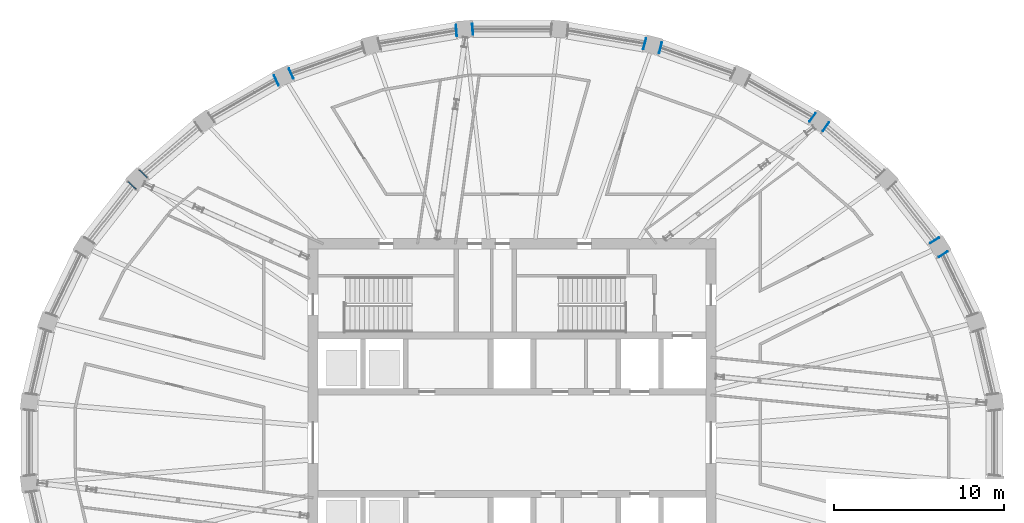
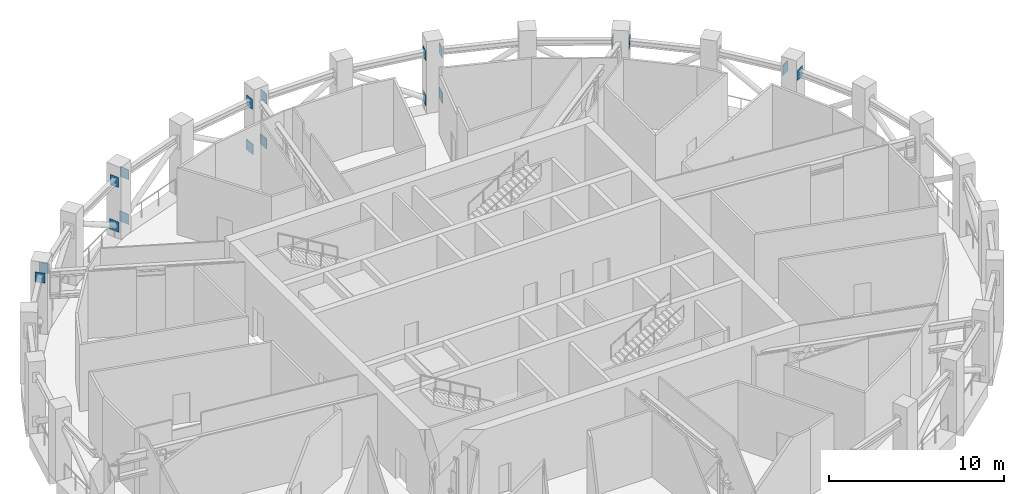
# One storey, part 17 of 20: 18 discrete accessories.
"""IFC4 building model written with IfcOpenShell, lengths in metres."""

from ifc_helpers import new_model, si_unit, direction, frame, origin, origin_2d, place, context, subcontext, project, spatial, rectangle, extrude, material, layer, layer_set, type_object, element, save


model = new_model("IFC4")

# Units and contexts
model_context = context("Model", 3, precision=1e-05, world=origin(), true_north=direction((0.0, 1.0)))
body_context = subcontext(model_context, "Body", "Model", "MODEL_VIEW")
ifc_project = project(units=[si_unit("LENGTHUNIT", "METRE"), si_unit("AREAUNIT", "SQUARE_METRE"), si_unit("VOLUMEUNIT", "CUBIC_METRE"), si_unit("PLANEANGLEUNIT", "RADIAN"), si_unit("MASSUNIT", "GRAM", prefix="KILO")], contexts=[model_context])

# Site, building, storey
site_placement = place(None, origin())
site = spatial("IfcSite", under=ifc_project, at=site_placement, CompositionType="ELEMENT")
building_placement = place(site_placement, origin())
building = spatial("IfcBuilding", under=site, at=building_placement, Name="Halqa Exchange Tower", CompositionType="ELEMENT")
storey_placement = place(building_placement, frame((0.0, 0.0, 328.300048828125)))
storey = spatial("IfcBuildingStorey", under=building, at=storey_placement, Name="L77", CompositionType="ELEMENT", Elevation=328.300048828125)

# Discrete accessories
ifc_material = material(Name="Steel S355", Category="steel")
ifc_layer = layer(ifc_material, 0.0400390625)
ifc_layer_set = layer_set([ifc_layer], Name="Steel S355")
discrete_accessory_type = type_object("IfcDiscreteAccessoryType", Name="Belt truss anchor plate 40", PredefinedType="ANCHORPLATE", material=ifc_layer_set)
discrete_accessory_1_placement = place(storey_placement, frame((24.849365234375, 11.879638671875, 3.89990234375), z_axis=(-0.527815847616, 0.849358835243, 0.0), x_axis=(-0.849358835243, -0.527815847616, 0.0)))
element("IfcDiscreteAccessory", 1, at=discrete_accessory_1_placement, inside=storey, type_object=discrete_accessory_type, Name="Belt truss anchor plate", PredefinedType="ANCHORPLATE", context=body_context, shape_type="SweptSolid", body=[
    extrude(rectangle(XDim=0.60009765625, YDim=0.699951171875, at=origin_2d()), origin(), (0.0, 0.0, 1.0), 0.040283203125),
])
for number, where, z_axis, x_axis, name in (
    (2, (25.3349609375, 11.098388671875, 3.89990234375), (0.530546985787, -0.847655529016, 0.0), (0.847655529016, 0.530546985787, 0.0), "Belt truss anchor plate"),
    (3, (17.6787109375, 19.1123046875, 3.89990234375), (-0.81865747399, 0.57428210862, 0.0), (-0.57428210862, -0.81865747399, 0.0), "Belt truss anchor plate"),
    (4, (18.430419921875, 18.581787109375, 3.89990234375), (0.81865747399, -0.57428210862, 0.0), (0.57428210862, 0.81865747399, 0.0), "Belt truss anchor plate"),
):
    element("IfcDiscreteAccessory", number, at=place(storey_placement, frame(where, z_axis=z_axis, x_axis=x_axis)), inside=storey, type_object=discrete_accessory_type, Name=name, PredefinedType="ANCHORPLATE", context=body_context, shape_type="SweptSolid", body=[
        extrude(rectangle(XDim=0.60009765625, YDim=0.699951171875, at=origin_2d()), origin(), (0.0, 0.0, 1.0), 0.0400390625),
    ])
for number, where, z_axis, x_axis, name in (
    (5, (7.817626953125, 23.453369140625, 3.89990234375), (-0.967941754644, 0.251174759116, 0.0), (-0.251174759116, -0.967941754644, 0.0), "Belt truss anchor plate"),
    (6, (8.7080078125, 23.22119140625, 3.89990234375), (0.967941754644, -0.251174759116, 0.0), (0.251174759116, 0.967941754644, 0.0), "Belt truss anchor plate"),
):
    element("IfcDiscreteAccessory", number, at=place(storey_placement, frame(where, z_axis=z_axis, x_axis=x_axis)), inside=storey, type_object=discrete_accessory_type, Name=name, PredefinedType="ANCHORPLATE", context=body_context, shape_type="SweptSolid", body=[
        extrude(rectangle(XDim=0.60009765625, YDim=0.699951171875, at=origin_2d()), origin(), (0.0, 0.0, 1.0), 0.039794921875),
    ])
discrete_accessory_2_placement = place(storey_placement, frame((7.817626953125, 23.453125, 0.790283203125), z_axis=(-0.966437683387, 0.256901156343, 0.0), x_axis=(-0.256901156343, -0.966437683387, 0.0)))
element("IfcDiscreteAccessory", 7, at=discrete_accessory_2_placement, inside=storey, type_object=discrete_accessory_type, Name="Belt truss anchor plate", PredefinedType="ANCHORPLATE", context=body_context, shape_type="SweptSolid", body=[
    extrude(rectangle(XDim=0.656005859375, YDim=0.717041015625, at=origin_2d()), origin(), (0.0, 0.0, 1.0), 0.039794921875),
])
discrete_accessory_3_placement = place(storey_placement, frame((8.7080078125, 23.22119140625, 0.79345703125), z_axis=(0.967941754644, -0.251174759116, 0.0), x_axis=(0.251174759116, 0.967941754644, 0.0)))
element("IfcDiscreteAccessory", 8, at=discrete_accessory_3_placement, inside=storey, type_object=discrete_accessory_type, Name="Belt truss anchor plate", PredefinedType="ANCHORPLATE", context=body_context, shape_type="SweptSolid", body=[
    extrude(rectangle(XDim=0.656005859375, YDim=0.718994140625, at=origin_2d()), origin(), (0.0, 0.0, 1.0), 0.039794921875),
])
for number, where, z_axis, x_axis, name in (
    (9, (-3.24853515625, 24.232421875, 3.89990234375), (-0.996331773833, -0.085574508182, 0.0), (0.085574508182, -0.996331773833, 0.0), "Belt truss anchor plate"),
    (10, (-2.331787109375, 24.31005859375, 3.89990234375), (0.996834694212, 0.079502153526, 0.0), (-0.079502153526, 0.996834694212, 0.0), "Belt truss anchor plate"),
):
    element("IfcDiscreteAccessory", number, at=place(storey_placement, frame(where, z_axis=z_axis, x_axis=x_axis)), inside=storey, type_object=discrete_accessory_type, Name=name, PredefinedType="ANCHORPLATE", context=body_context, shape_type="SweptSolid", body=[
        extrude(rectangle(XDim=0.60009765625, YDim=0.699951171875, at=origin_2d()), origin(), (0.0, 0.0, 1.0), 0.0400390625),
    ])
discrete_accessory_4_placement = place(storey_placement, frame((-3.24853515625, 24.232421875, 0.7900390625), z_axis=(-0.996331773833, -0.085574508182, 0.0), x_axis=(0.085574508182, -0.996331773833, 0.0)))
element("IfcDiscreteAccessory", 11, at=discrete_accessory_4_placement, inside=storey, type_object=discrete_accessory_type, Name="Belt truss anchor plate", PredefinedType="ANCHORPLATE", context=body_context, shape_type="SweptSolid", body=[
    extrude(rectangle(XDim=0.656005859375, YDim=0.717041015625, at=origin_2d()), origin(), (0.0, 0.0, 1.0), 0.0400390625),
])
discrete_accessory_5_placement = place(storey_placement, frame((-2.331787109375, 24.309814453125, 0.78857421875), z_axis=(0.996331773833, 0.085574508182, 0.0), x_axis=(-0.085574508182, 0.996331773833, 0.0)))
element("IfcDiscreteAccessory", 12, at=discrete_accessory_5_placement, inside=storey, type_object=discrete_accessory_type, Name="Belt truss anchor plate", PredefinedType="ANCHORPLATE", context=body_context, shape_type="SweptSolid", body=[
    extrude(rectangle(XDim=0.656005859375, YDim=0.716064453125, at=origin_2d()), origin(), (0.0, 0.0, 1.0), 0.0400390625),
])
discrete_accessory_6_placement = place(storey_placement, frame((-13.835205078125, 21.313720703125, 3.89990234375), z_axis=(-0.9097381412, -0.415182507393, 0.0), x_axis=(0.415182507393, -0.9097381412, 0.0)))
element("IfcDiscreteAccessory", 13, at=discrete_accessory_6_placement, inside=storey, type_object=discrete_accessory_type, Name="Belt truss anchor plate", PredefinedType="ANCHORPLATE", context=body_context, shape_type="SweptSolid", body=[
    extrude(rectangle(XDim=0.60009765625, YDim=0.699951171875, at=origin_2d()), origin(), (0.0, 0.0, 1.0), 0.0400390625),
])
discrete_accessory_7_placement = place(storey_placement, frame((-12.9990234375, 21.697509765625, 3.89990234375), z_axis=(0.908676843963, 0.417500171551, 0.0), x_axis=(-0.417500171551, 0.908676843963, 0.0)))
element("IfcDiscreteAccessory", 14, at=discrete_accessory_7_placement, inside=storey, type_object=discrete_accessory_type, Name="Belt truss anchor plate", PredefinedType="ANCHORPLATE", context=body_context, shape_type="SweptSolid", body=[
    extrude(rectangle(XDim=0.60009765625, YDim=0.699951171875, at=origin_2d()), origin(), (0.0, 0.0, 1.0), 0.039794921875),
])
discrete_accessory_8_placement = place(storey_placement, frame((-13.835205078125, 21.313720703125, 0.80078125), z_axis=(-0.90742390538, -0.420216439404, 0.0), x_axis=(0.420216439404, -0.90742390538, 0.0)))
element("IfcDiscreteAccessory", 15, at=discrete_accessory_8_placement, inside=storey, type_object=discrete_accessory_type, Name="Belt truss anchor plate", PredefinedType="ANCHORPLATE", context=body_context, shape_type="SweptSolid", body=[
    extrude(rectangle(XDim=0.656005859375, YDim=0.720947265625, at=origin_2d()), origin(), (0.0, 0.0, 1.0), 0.0400390625),
])
discrete_accessory_9_placement = place(storey_placement, frame((-12.999267578125, 21.69775390625, 0.793701171875), z_axis=(0.9097381412, 0.415182507393, 0.0), x_axis=(-0.415182507393, 0.9097381412, 0.0)))
element("IfcDiscreteAccessory", 16, at=discrete_accessory_9_placement, inside=storey, type_object=discrete_accessory_type, Name="Belt truss anchor plate", PredefinedType="ANCHORPLATE", context=body_context, shape_type="SweptSolid", body=[
    extrude(rectangle(XDim=0.656005859375, YDim=0.718994140625, at=origin_2d()), origin(), (0.0, 0.0, 1.0), 0.0400390625),
])
for number, where, z_axis, x_axis, name in (
    (17, (-22.314208984375, 15.131591796875, 3.89990234375), (-0.691639439628, -0.722242954656, 0.0), (0.722242954656, -0.691639439628, 0.0), "Belt truss anchor plate"),
    (18, (-21.678955078125, 15.79736328125, 3.89990234375), (0.691639439628, 0.722242954656, 0.0), (-0.722242954656, 0.691639439628, 0.0), "Belt truss anchor plate"),
):
    element("IfcDiscreteAccessory", number, at=place(storey_placement, frame(where, z_axis=z_axis, x_axis=x_axis)), inside=storey, type_object=discrete_accessory_type, Name=name, PredefinedType="ANCHORPLATE", context=body_context, shape_type="SweptSolid", body=[
        extrude(rectangle(XDim=0.60009765625, YDim=0.699951171875, at=origin_2d()), origin(), (0.0, 0.0, 1.0), 0.039794921875),
    ])

save(model, "model.ifc")
